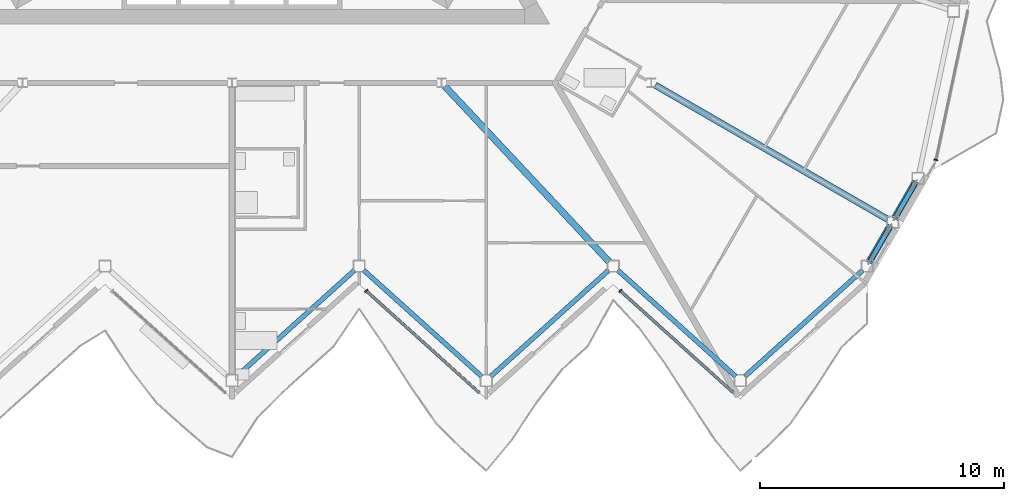
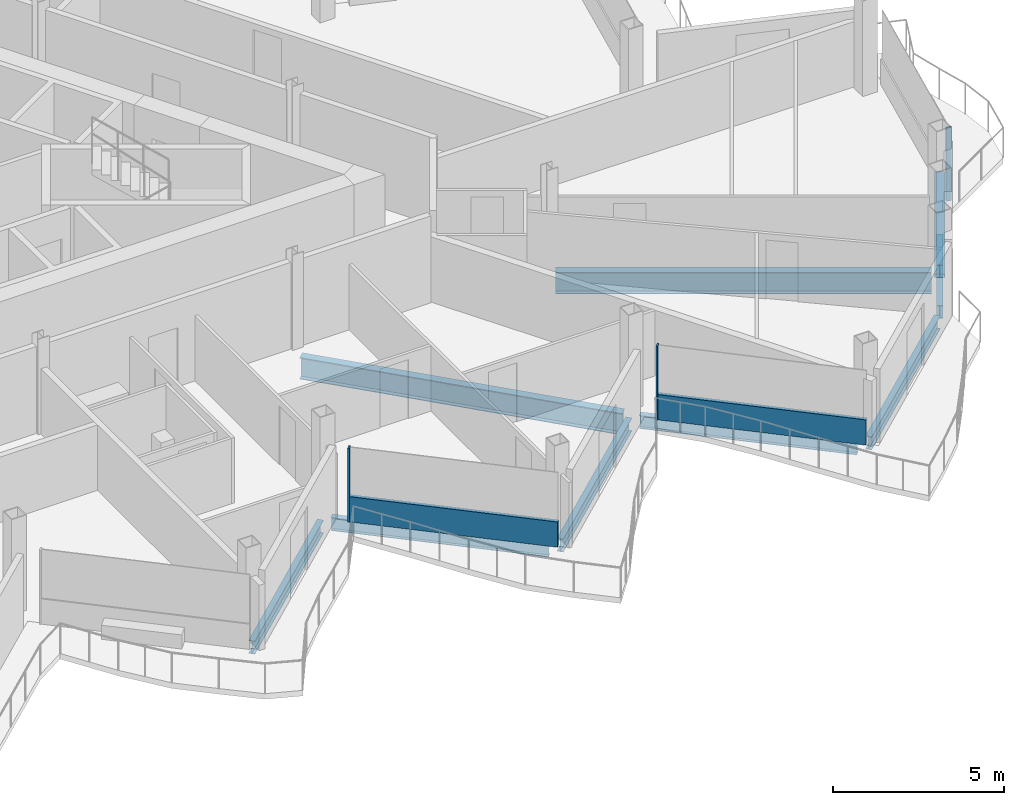
# One storey, part 7 of 26: 9 beams, 7 members, 3 elements without a shape of their own.
"""IFC4 building model written with IfcOpenShell, lengths in metres."""

from ifc_helpers import new_model, si_unit, direction, frame, origin, origin_2d, place, context, subcontext, project, spatial, rectangle, hollow_rectangle, i_section, extrude, material, layer, layer_set, material_profile, profile_set, type_object, element, aggregate, save


model = new_model("IFC4")

# Units and contexts
model_context = context("Model", 3, precision=1e-05, world=origin(), true_north=direction((0.0, 1.0)))
body_context = subcontext(model_context, "Body", "Model", "MODEL_VIEW")
ifc_project = project(units=[si_unit("LENGTHUNIT", "METRE"), si_unit("AREAUNIT", "SQUARE_METRE"), si_unit("VOLUMEUNIT", "CUBIC_METRE"), si_unit("PLANEANGLEUNIT", "RADIAN"), si_unit("MASSUNIT", "GRAM", prefix="KILO")], contexts=[model_context])

# Site, building, storey
site_placement = place(None, origin())
site = spatial("IfcSite", under=ifc_project, at=site_placement, CompositionType="ELEMENT")
building_placement = place(site_placement, origin())
building = spatial("IfcBuilding", under=site, at=building_placement, Name="Cormorant Prow Tower", CompositionType="ELEMENT")
storey_placement = place(building_placement, frame((0.0, 0.0, 367.800048828125)))
storey = spatial("IfcBuildingStorey", under=building, at=storey_placement, Name="L82", CompositionType="ELEMENT", Elevation=367.800048828125)

# Members
ifc_material_1 = material(Name="Structural steel ASTM A500 Gr C", Category="steel")
ifc_material_profile_1 = material_profile(ifc_material_1, hollow_rectangle(XDim=0.3046875, YDim=0.3046875, WallThickness=0.01171875, at=origin_2d()), Name="HSS12x12x1/2")
ifc_profile_set_1 = profile_set([ifc_material_profile_1], Name="Structural steel ASTM A500 Gr C")
member_type_1 = type_object("IfcMemberType", Name="Chamfer brace HSS12x12x1/2", PredefinedType="BRACE", material=ifc_profile_set_1)
member_1_placement = place(storey_placement, frame((26.123291015625, -17.192138671875, 0.7705078125), z_axis=(0.411298537745, 0.71230756954, 0.568727913175), x_axis=(-0.866000359435, 0.500043375578, 0.0)))
element("IfcMember", 1, at=member_1_placement, inside=storey, type_object=member_type_1, Name="Chamfer brace BR3 at ESE00 L82", PredefinedType="BRACE", context=body_context, shape_type="SweptSolid", body=[
    extrude(hollow_rectangle(XDim=0.3046875, YDim=0.3046875, WallThickness=0.01171875, at=origin_2d()), origin(), (0.0, 0.0, 1.0), 1.92138671875),
])
member_2_placement = place(storey_placement, frame((27.160400390625, -15.39599609375, 0.7705078125), z_axis=(0.411230183851, 0.712282194217, 0.568809117095), x_axis=(-0.866028632512, 0.499994407638, 0.0)))
element("IfcMember", 2, at=member_2_placement, inside=storey, type_object=member_type_1, Name="Chamfer brace BR3 at ESE01 L82", PredefinedType="BRACE", context=body_context, shape_type="SweptSolid", body=[
    extrude(hollow_rectangle(XDim=0.3046875, YDim=0.3046875, WallThickness=0.01171875, at=origin_2d()), origin(), (0.0, 0.0, 1.0), 1.921142578125),
])

# Beams
ifc_material_2 = material(Name="Structural steel ASTM A992 Gr 50", Category="steel")
ifc_material_profile_2 = material_profile(ifc_material_2, i_section(OverallWidth=0.267822265625, OverallDepth=0.77001953125, WebThickness=0.015625, FlangeThickness=0.025390625, at=origin_2d()), Name="W30x132")
ifc_profile_set_2 = profile_set([ifc_material_profile_2], Name="Structural steel ASTM A992 Gr 50")
beam_type_1 = type_object("IfcBeamType", Name="Radial floor beam W30x132", PredefinedType="BEAM", material=ifc_profile_set_2)
beam_1_placement = place(storey_placement, frame((8.706298828125, -10.0419921875, -0.68505859375), z_axis=(0.683430760659, -0.730015339144, 0.0), x_axis=(0.730015339144, 0.683430760659, 0.0)))
element("IfcBeam", 3, at=beam_1_placement, inside=storey, type_object=beam_type_1, Name="Radial floor beam FB3 8 L82", PredefinedType="BEAM", context=body_context, shape_type="SweptSolid", body=[
    extrude(i_section(OverallWidth=0.267822265625, OverallDepth=0.77001953125, WebThickness=0.015625, FlangeThickness=0.025390625, at=origin_2d()), origin(), (0.0, 0.0, 1.0), 9.8369140625),
])
beam_2_placement = place(storey_placement, frame((17.31884765625, -9.9990234375, -0.68505859375), z_axis=(0.866018830095, -0.500011385791, 0.0), x_axis=(0.500011385791, 0.866018830095, 0.0)))
element("IfcBeam", 4, at=beam_2_placement, inside=storey, type_object=beam_type_1, Name="Radial floor beam FB3 9 L82", PredefinedType="BEAM", context=body_context, shape_type="SweptSolid", body=[
    extrude(i_section(OverallWidth=0.267822265625, OverallDepth=0.77001953125, WebThickness=0.015625, FlangeThickness=0.025390625, at=origin_2d()), origin(), (0.0, 0.0, 1.0), 10.971435546875),
])

# Curtain wall, member
ifc_material_3 = material(Name="Aluminium 6063-T6", Category="aluminium")
ifc_layer = layer(ifc_material_3, 0.159912109375)
ifc_layer_set = layer_set([ifc_layer], Name="Aluminium 6063-T6")
curtain_wall_type = type_object("IfcCurtainWallType", Name="Residential unitised curtain wall 160", PredefinedType="NOTDEFINED", material=ifc_layer_set)
curtain_wall_1_placement = place(storey_placement, origin())
curtain_wall_1 = element("IfcCurtainWall", 5, at=curtain_wall_1_placement, inside=storey, type_object=curtain_wall_type, Name="Residential curtain wall S06", PredefinedType="NOTDEFINED")
ifc_material_4 = material(Name="Aluminium 6063-T6", Category="aluminium")
ifc_material_profile_3 = material_profile(ifc_material_4, rectangle(XDim=0.159912109375, YDim=0.050048828125, at=origin_2d()), Name="Residential mullion 50x160")
ifc_profile_set_3 = profile_set([ifc_material_profile_3], Name="Aluminium 6063-T6")
member_type_2 = type_object("IfcMemberType", Name="Residential mullion 50x160", PredefinedType="MULLION", material=ifc_profile_set_3)
member_3_placement = place(storey_placement, frame((5.490478515625, -18.4189453125, 0.0), z_axis=(0.0, 0.0, 1.0), x_axis=(0.669130682884, 0.743144756574, 0.0)))
member_3 = element("IfcMember", 6, at=member_3_placement, type_object=member_type_2, Name="Residential mullion S06", PredefinedType="MULLION", context=body_context, shape_type="SweptSolid", body=[
    extrude(rectangle(XDim=0.159912109375, YDim=0.050048828125, at=origin_2d()), origin(), (0.0, 0.0, 1.0), 2.6337890625),
])

curtain_wall_2_placement = place(storey_placement, origin())
curtain_wall_2 = element("IfcCurtainWall", 7, at=curtain_wall_2_placement, inside=storey, type_object=curtain_wall_type, Name="Residential curtain wall S08", PredefinedType="NOTDEFINED")
member_4_placement = place(storey_placement, frame((15.890625, -18.4189453125, 0.0), z_axis=(0.0, 0.0, 1.0), x_axis=(0.669130682884, 0.743144756574, 0.0)))
member_4 = element("IfcMember", 8, at=member_4_placement, type_object=member_type_2, Name="Residential mullion S08", PredefinedType="MULLION", context=body_context, shape_type="SweptSolid", body=[
    extrude(rectangle(XDim=0.159912109375, YDim=0.050048828125, at=origin_2d()), origin(), (0.0, 0.0, 1.0), 2.6337890625),
])

curtain_wall_3_placement = place(storey_placement, origin())
curtain_wall_3 = element("IfcCurtainWall", 9, at=curtain_wall_3_placement, inside=storey, type_object=curtain_wall_type, Name="Residential curtain wall ENE00", PredefinedType="NOTDEFINED")
member_5_placement = place(storey_placement, frame((28.805908203125, -13.055419921875, 0.0), z_axis=(0.0, 0.0, 1.0), x_axis=(-0.978147586701, 0.207911756835, 0.0)))
member_5 = element("IfcMember", 10, at=member_5_placement, type_object=member_type_2, Name="Residential mullion ENE00", PredefinedType="MULLION", context=body_context, shape_type="SweptSolid", body=[
    extrude(rectangle(XDim=0.159912109375, YDim=0.050048828125, at=origin_2d()), origin(), (0.0, 0.0, 1.0), 2.6337890625),
])
aggregate(curtain_wall_3, [member_5])

# Member
ifc_material_5 = material(Name="Terracotta", Category="masonry")
ifc_material_profile_4 = material_profile(ifc_material_5, rectangle(XDim=0.1201171875, YDim=0.89990234375, at=origin_2d()), Name="Residential terracotta spandrel rail 120x900")
ifc_profile_set_4 = profile_set([ifc_material_profile_4], Name="Terracotta")
member_type_3 = type_object("IfcMemberType", Name="Residential terracotta spandrel rail 120x900", PredefinedType="USERDEFINED", material=ifc_profile_set_4)
member_6_placement = place(storey_placement, frame((5.509033203125, -18.435791015625, 0.449951171875), z_axis=(0.743159360055, -0.669114463723, 0.0), x_axis=(0.669114463723, 0.743159360055, 0.0)))
member_6 = element("IfcMember", 11, at=member_6_placement, type_object=member_type_3, Name="Residential spandrel rail S06", ObjectType="TRANSOM", PredefinedType="USERDEFINED", context=body_context, shape_type="SweptSolid", body=[
    extrude(rectangle(XDim=0.1201171875, YDim=0.89990234375, at=origin_2d()), origin(), (0.0, 0.0, 1.0), 6.21533203125),
])

aggregate(curtain_wall_1, [member_3, member_6])

member_7_placement = place(storey_placement, frame((15.9091796875, -18.435791015625, 0.449951171875), z_axis=(0.743159360055, -0.669114463723, 0.0), x_axis=(0.669114463723, 0.743159360055, 0.0)))
member_7 = element("IfcMember", 12, at=member_7_placement, type_object=member_type_3, Name="Residential spandrel rail S08", ObjectType="TRANSOM", PredefinedType="USERDEFINED", context=body_context, shape_type="SweptSolid", body=[
    extrude(rectangle(XDim=0.1201171875, YDim=0.89990234375, at=origin_2d()), origin(), (0.0, 0.0, 1.0), 6.21533203125),
])

aggregate(curtain_wall_2, [member_4, member_7])

# Beams
ifc_material_6 = material(Name="Structural steel ASTM A992 Gr 50", Category="steel")
ifc_material_profile_5 = material_profile(ifc_material_6, i_section(OverallWidth=0.19287109375, OverallDepth=0.466064453125, WebThickness=0.011474609375, FlangeThickness=0.01904296875, at=origin_2d()), Name="W18x65")
ifc_profile_set_5 = profile_set([ifc_material_profile_5], Name="Structural steel ASTM A992 Gr 50")
beam_type_2 = type_object("IfcBeamType", Name="Spandrel beam W18x65", PredefinedType="SPANDREL", material=ifc_profile_set_5)
for number, where, z_axis, x_axis, name in (
    (13, (0.185791015625, -21.920654296875, -0.533203125), (0.743131573737, 0.669145323614, 0.0), (-0.669145323614, 0.743131573737, 0.0), "Spandrel beam SB4 S05-S06 L82"),
    (14, (5.3857421875, -17.572998046875, -0.533203125), (0.743131573737, -0.669145323614, 0.0), (0.669145323614, 0.743131573737, 0.0), "Spandrel beam SB4 S06-S07 L82"),
):
    element("IfcBeam", number, at=place(storey_placement, frame(where, z_axis=z_axis, x_axis=x_axis)), inside=storey, type_object=beam_type_2, Name=name, PredefinedType="SPANDREL", context=body_context, shape_type="SweptSolid", body=[
        extrude(i_section(OverallWidth=0.19287109375, OverallDepth=0.466064453125, WebThickness=0.011474609375, FlangeThickness=0.01904296875, at=origin_2d()), origin(), (0.0, 0.0, 1.0), 6.497314453125),
    ])
beam_3_placement = place(storey_placement, frame((10.585693359375, -21.920654296875, -0.533203125), z_axis=(0.743148397689, 0.669126638995, 0.0), x_axis=(-0.669126638995, 0.743148397689, 0.0)))
element("IfcBeam", 15, at=beam_3_placement, inside=storey, type_object=beam_type_2, Name="Spandrel beam SB4 S07-S08 L82", PredefinedType="SPANDREL", context=body_context, shape_type="SweptSolid", body=[
    extrude(i_section(OverallWidth=0.19287109375, OverallDepth=0.466064453125, WebThickness=0.011474609375, FlangeThickness=0.01904296875, at=origin_2d()), origin(), (0.0, 0.0, 1.0), 6.49755859375),
])
for number, where, z_axis, x_axis, name in (
    (16, (15.785888671875, -17.572998046875, -0.533203125), (0.743131573737, -0.669145323614, 0.0), (0.669145323614, 0.743131573737, 0.0), "Spandrel beam SB4 S08-S09 L82"),
    (17, (20.98583984375, -21.920654296875, -0.533203125), (0.743131573737, 0.669145323614, 0.0), (-0.669145323614, 0.743131573737, 0.0), "Spandrel beam SB4 S09-ESE00 L82"),
):
    element("IfcBeam", number, at=place(storey_placement, frame(where, z_axis=z_axis, x_axis=x_axis)), inside=storey, type_object=beam_type_2, Name=name, PredefinedType="SPANDREL", context=body_context, shape_type="SweptSolid", body=[
        extrude(i_section(OverallWidth=0.19287109375, OverallDepth=0.466064453125, WebThickness=0.011474609375, FlangeThickness=0.01904296875, at=origin_2d()), origin(), (0.0, 0.0, 1.0), 6.497314453125),
    ])
for number, where, z_axis, x_axis, name in (
    (18, (26.125, -17.189208984375, -0.533203125), (0.499959680857, 0.866048680801, 0.0), (-0.866048680801, 0.499959680857, 0.0), "Spandrel beam SB4 ESE00-ESE01 L82"),
    (19, (27.161865234375, -15.393310546875, -0.533203125), (0.499959680857, 0.866048680801, 0.0), (-0.866048680801, 0.499959680857, 0.0), "Spandrel beam SB4 ESE01-ENE00 L82"),
):
    element("IfcBeam", number, at=place(storey_placement, frame(where, z_axis=z_axis, x_axis=x_axis)), inside=storey, type_object=beam_type_2, Name=name, PredefinedType="SPANDREL", context=body_context, shape_type="SweptSolid", body=[
        extrude(i_section(OverallWidth=0.19287109375, OverallDepth=0.466064453125, WebThickness=0.011474609375, FlangeThickness=0.01904296875, at=origin_2d()), origin(), (0.0, 0.0, 1.0), 1.573974609375),
    ])

save(model, "model.ifc")
